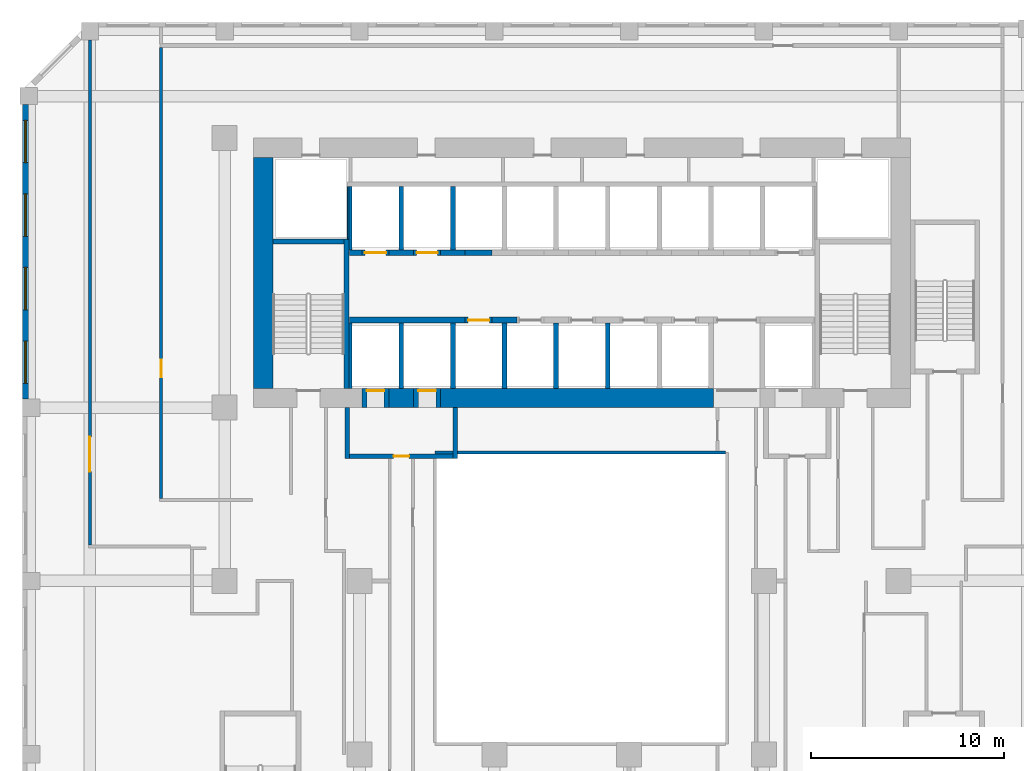
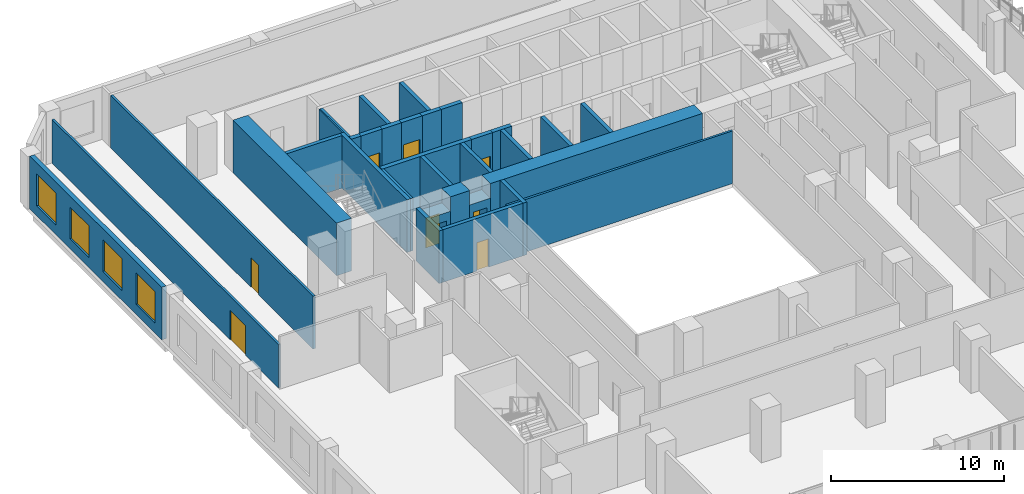
# One storey, part 14 of 27: 33 walls, 8 doors, 4 windows, 12 openings.
"""IFC4 building model written with IfcOpenShell, lengths in metres."""

from ifc_helpers import new_model, si_unit, direction, frame, frame_2d, origin, place, context, subcontext, project, spatial, rectangle, extrude, source, transform, mapped, material, layer, layer_set, type_object, element, fill, save


model = new_model("IFC4")

# Units and contexts
model_context = context("Model", 3, precision=1e-05, world=origin(), true_north=direction((0.0, 1.0)))
body_context = subcontext(model_context, "Body", "Model", "MODEL_VIEW")
ifc_project = project(units=[si_unit("LENGTHUNIT", "METRE"), si_unit("AREAUNIT", "SQUARE_METRE"), si_unit("VOLUMEUNIT", "CUBIC_METRE"), si_unit("PLANEANGLEUNIT", "RADIAN"), si_unit("MASSUNIT", "GRAM", prefix="KILO")], contexts=[model_context])

# Site, building, storey
site_placement = place(None, origin())
site = spatial("IfcSite", under=ifc_project, at=site_placement, CompositionType="ELEMENT")
building_placement = place(site_placement, origin())
building = spatial("IfcBuilding", under=site, at=building_placement, Name="Kilnfold Tower and Market Hall", CompositionType="ELEMENT")
storey_placement = place(building_placement, frame((0.0, 0.0, 43.0)))
storey = spatial("IfcBuildingStorey", under=building, at=storey_placement, Name="L09", CompositionType="ELEMENT", Elevation=43.0)

# Wall
ifc_material_1 = material(Name="Fire-resisting glazed screen")
ifc_layer_1 = layer(ifc_material_1, 0.14990234375)
ifc_layer_set_1 = layer_set([ifc_layer_1], Name="Fire-resisting glazed screen")
wall_type_1 = type_object("IfcWallType", Name="WALL ATRIUM 150", PredefinedType="PARTITIONING", material=ifc_layer_set_1)
wall_1_placement = place(storey_placement, frame((-6.574951171875, 5.675048828125, 0.0), z_axis=(0.0, 0.0, 1.0), x_axis=(1.0, 0.0, 0.0)))
element("IfcWall", 1, at=wall_1_placement, inside=storey, type_object=wall_type_1, Name="Partition LY08.70", PredefinedType="PARTITIONING", context=body_context, shape_type="SweptSolid", body=[
    extrude(rectangle(XDim=15.074951171875, YDim=0.14990234375, at=frame_2d((7.53759765625, 0.0))), origin(), (0.0, 0.0, 1.0), 3.719970703125),
])

# Wall, opening, door
ifc_material_2 = material(Name="Gypsum board on steel studs", Category="steel")
ifc_layer_2 = layer(ifc_material_2, 0.14990234375)
ifc_layer_set_2 = layer_set([ifc_layer_2], Name="Gypsum board on steel studs")
wall_type_2 = type_object("IfcWallType", Name="WALL CORRIDOR 150", PredefinedType="PARTITIONING", material=ifc_layer_set_2)
wall_2_placement = place(storey_placement, frame((-20.800048828125, 3.27490234375, 0.0), z_axis=(0.0, 0.0, 1.0), x_axis=(0.0, 1.0, 0.0)))
wall_2 = element("IfcWall", 2, at=wall_2_placement, inside=storey, type_object=wall_type_2, Name="Partition LY08.1", PredefinedType="PARTITIONING", context=body_context, shape_type="SweptSolid", body=[
    extrude(rectangle(XDim=23.43505859375, YDim=0.14990234375, at=frame_2d((11.717529296875, 0.0))), origin(), (0.0, 0.0, 1.0), 3.719970703125),
])
opening_1_placement = place(wall_2_placement, frame((6.31005859375, 0.0, 0.0)))
opening_1 = element("IfcOpeningElement", 3, at=opening_1_placement, cuts=wall_2, Name="Opening D3", PredefinedType="OPENING", context=body_context, shape_type="SweptSolid", body=[
    extrude(rectangle(XDim=0.89990234375, YDim=2.10009765625, at=frame_2d((0.449951171875, 1.050048828125))), frame((0.0, 0.0849609375, 0.0), z_axis=(0.0, -1.0, 0.0), x_axis=(1.0, 0.0, 0.0)), (0.0, 0.0, 1.0), 0.169921875),
])
ifc_material_3 = material(Name="Timber veneer door leaf in steel frame", Category="steel")
door_type_1 = type_object("IfcDoorType", Name="DOOR WC 900 X2100", OperationType="NOTDEFINED", PredefinedType="DOOR", material=ifc_material_3)
door_1_placement = place(opening_1_placement, origin())
door_1 = element("IfcDoor", 4, at=door_1_placement, inside=storey, type_object=door_type_1, Name="Door D3", OperationType="SINGLE_SWING_RIGHT", OverallHeight=2.10009765625, OverallWidth=0.89990234375, PredefinedType="DOOR", context=body_context, shape_type="SweptSolid", body=[
    extrude(rectangle(XDim=0.89990234375, YDim=2.10009765625, at=frame_2d((0.449951171875, 1.050048828125))), frame((0.0, 0.02490234375, 0.0), z_axis=(0.0, -1.0, 0.0), x_axis=(1.0, 0.0, 0.0)), (0.0, 0.0, 1.0), 0.050048828125),
])
fill(opening_1, door_1)

wall_3_placement = place(storey_placement, frame((-24.5, 27.10009765625, 0.0), z_axis=(0.0, 0.0, 1.0), x_axis=(0.0, -1.0, 0.0)))
wall_3 = element("IfcWall", 5, at=wall_3_placement, inside=storey, type_object=wall_type_2, Name="Partition LY08.39", PredefinedType="PARTITIONING", context=body_context, shape_type="SweptSolid", body=[
    extrude(rectangle(XDim=26.22509765625, YDim=0.14990234375, at=frame_2d((13.112548828125, 0.0))), origin(), (0.0, 0.0, 1.0), 3.070068359375),
])
opening_2_placement = place(wall_3_placement, frame((20.62109375, 0.0, 0.0)))
opening_2 = element("IfcOpeningElement", 6, at=opening_2_placement, cuts=wall_3, Name="Opening D5", PredefinedType="OPENING", context=body_context, shape_type="SweptSolid", body=[
    extrude(rectangle(XDim=1.800048828125, YDim=2.10009765625, at=frame_2d((0.89990234375, 1.050048828125))), frame((0.0, 0.0849609375, 0.0), z_axis=(0.0, -1.0, 0.0), x_axis=(1.0, 0.0, 0.0)), (0.0, 0.0, 1.0), 0.169921875),
])
ifc_material_4 = material(Name="Timber veneer door leaf in steel frame", Category="steel")
door_type_2 = type_object("IfcDoorType", Name="DOOR DOUBLE 1800 X2100", OperationType="NOTDEFINED", PredefinedType="DOOR", material=ifc_material_4)
door_2_placement = place(opening_2_placement, origin())
door_2 = element("IfcDoor", 7, at=door_2_placement, inside=storey, type_object=door_type_2, Name="Door D5", OperationType="DOUBLE_DOOR_SINGLE_SWING", OverallHeight=2.10009765625, OverallWidth=1.800048828125, PredefinedType="DOOR", context=body_context, shape_type="SweptSolid", body=[
    extrude(rectangle(XDim=1.800048828125, YDim=2.10009765625, at=frame_2d((0.89990234375, 1.050048828125))), frame((0.0, 0.02490234375, 0.0), z_axis=(0.0, -1.0, 0.0), x_axis=(1.0, 0.0, 0.0)), (0.0, 0.0, 1.0), 0.050048828125),
])
fill(opening_2, door_2)

# Walls
ifc_material_5 = material(Name="Concrete C80", Category="concrete")
ifc_layer_3 = layer(ifc_material_5, 1.0)
ifc_layer_set_3 = layer_set([ifc_layer_3], Name="Concrete C80")
wall_type_3 = type_object("IfcWallType", Name="CORE WALL 1000 C80", PredefinedType="SHEAR", material=ifc_layer_set_3)
shared_shape_1 = source(origin(), body_context, "Body", "SweptSolid", [
    extrude(rectangle(XDim=1.280029296875, YDim=1.0, at=frame_2d((0.64013671875, 0.0))), origin(), (0.0, 0.0, 1.0), 3.719970703125),
])
wall_4_placement = place(storey_placement, frame((-8.969970703125, 8.5, 0.0), z_axis=(0.0, 0.0, 1.0), x_axis=(1.0, 0.0, 0.0)))
element("IfcWall", 8, at=wall_4_placement, inside=storey, type_object=wall_type_3, Name="Core outer wall south", PredefinedType="SHEAR", context=body_context, shape_type="MappedRepresentation", body=[
    mapped(shared_shape_1, transform((0.0, 0.0, 0.0))),
])
shared_shape_2 = source(origin(), body_context, "Body", "SweptSolid", [
    extrude(rectangle(XDim=14.179931640625, YDim=1.0, at=frame_2d((7.08984375, 0.0))), origin(), (0.0, 0.0, 1.0), 3.719970703125),
])
wall_5_placement = place(storey_placement, frame((-6.2900390625, 8.5, 0.0), z_axis=(0.0, 0.0, 1.0), x_axis=(1.0, 0.0, 0.0)))
element("IfcWall", 9, at=wall_5_placement, inside=storey, type_object=wall_type_3, Name="Core outer wall south", PredefinedType="SHEAR", context=body_context, shape_type="MappedRepresentation", body=[
    mapped(shared_shape_2, transform((0.0, 0.0, 0.0))),
])
shared_shape_3 = source(origin(), body_context, "Body", "SweptSolid", [
    extrude(rectangle(XDim=12.0, YDim=1.0, at=frame_2d((6.0, 0.0))), origin(), (0.0, 0.0, 1.0), 3.719970703125),
])
wall_6_placement = place(storey_placement, frame((-15.5, 9.0, 0.0), z_axis=(0.0, 0.0, 1.0), x_axis=(0.0, 1.0, 0.0)))
element("IfcWall", 10, at=wall_6_placement, inside=storey, type_object=wall_type_3, Name="Core outer wall west", PredefinedType="SHEAR", context=body_context, shape_type="MappedRepresentation", body=[
    mapped(shared_shape_3, transform((0.0, 0.0, 0.0))),
])
ifc_material_6 = material(Name="Concrete C80", Category="concrete")
ifc_layer_4 = layer(ifc_material_6, 0.25)
ifc_layer_set_4 = layer_set([ifc_layer_4], Name="Concrete C80")
wall_type_4 = type_object("IfcWallType", Name="CORE WALL 250 C80", PredefinedType="SHEAR", material=ifc_layer_set_4)
shared_shape_4 = source(origin(), body_context, "Body", "SweptSolid", [
    extrude(rectangle(XDim=7.75, YDim=0.25, at=frame_2d((3.875, 0.0))), origin(), (0.0, 0.0, 1.0), 3.719970703125),
])
wall_7_placement = place(storey_placement, frame((-11.175048828125, 9.0, 0.0), z_axis=(0.0, 0.0, 1.0), x_axis=(0.0, 1.0, 0.0)))
element("IfcWall", 11, at=wall_7_placement, inside=storey, type_object=wall_type_4, Name="Stair enclosure ST1", PredefinedType="SHEAR", context=body_context, shape_type="MappedRepresentation", body=[
    mapped(shared_shape_4, transform((0.0, 0.0, 0.0))),
])
shared_shape_5 = source(origin(), body_context, "Body", "SweptSolid", [
    extrude(rectangle(XDim=3.699951171875, YDim=0.25, at=frame_2d((1.85009765625, 0.0))), origin(), (0.0, 0.0, 1.0), 3.719970703125),
])
wall_8_placement = place(storey_placement, frame((-15.0, 16.625, 0.0), z_axis=(0.0, 0.0, 1.0), x_axis=(1.0, 0.0, 0.0)))
element("IfcWall", 12, at=wall_8_placement, inside=storey, type_object=wall_type_4, Name="Stair enclosure ST1", PredefinedType="SHEAR", context=body_context, shape_type="MappedRepresentation", body=[
    mapped(shared_shape_5, transform((0.0, 0.0, 0.0))),
])
ifc_material_7 = material(Name="Concrete C80", Category="concrete")
ifc_layer_5 = layer(ifc_material_7, 0.300048828125)
ifc_layer_set_5 = layer_set([ifc_layer_5], Name="Concrete C80")
wall_type_5 = type_object("IfcWallType", Name="CORE WALL 300 C80", PredefinedType="SHEAR", material=ifc_layer_set_5)
shared_shape_6 = source(origin(), body_context, "Body", "SweptSolid", [
    extrude(rectangle(XDim=6.0, YDim=0.300048828125, at=frame_2d((3.0, 0.0))), origin(), (0.0, 0.0, 1.0), 3.719970703125),
])
wall_9_placement = place(storey_placement, frame((-11.010009765625, 12.550048828125, 0.0), z_axis=(0.0, 0.0, 1.0), x_axis=(1.0, 0.0, 0.0)))
element("IfcWall", 13, at=wall_9_placement, inside=storey, type_object=wall_type_5, Name="Core spine wall", PredefinedType="SHEAR", context=body_context, shape_type="MappedRepresentation", body=[
    mapped(shared_shape_6, transform((0.0, 0.0, 0.0))),
])
shared_shape_7 = source(origin(), body_context, "Body", "SweptSolid", [
    extrude(rectangle(XDim=1.280029296875, YDim=0.300048828125, at=frame_2d((0.64013671875, 0.0))), origin(), (0.0, 0.0, 1.0), 3.719970703125),
])
for number, where, z_axis, x_axis, name in (
    (14, (-3.610107421875, 12.550048828125, 0.0), (0.0, 0.0, 1.0), (1.0, 0.0, 0.0), "Core spine wall"),
    (15, (-8.969970703125, 16.050048828125, 0.0), (0.0, 0.0, 1.0), (1.0, 0.0, 0.0), "Core spine wall"),
    (16, (-6.2900390625, 16.050048828125, 0.0), (0.0, 0.0, 1.0), (1.0, 0.0, 0.0), "Core spine wall"),
):
    element("IfcWall", number, at=place(storey_placement, frame(where, z_axis=z_axis, x_axis=x_axis)), inside=storey, type_object=wall_type_5, Name=name, PredefinedType="SHEAR", context=body_context, shape_type="MappedRepresentation", body=[
        mapped(shared_shape_7, transform((0.0, 0.0, 0.0))),
    ])
shared_shape_8 = source(origin(), body_context, "Body", "SweptSolid", [
    extrude(rectangle(XDim=0.639892578125, YDim=0.300048828125, at=frame_2d((0.31982421875, 0.0))), origin(), (0.0, 0.0, 1.0), 3.719970703125),
])
wall_10_placement = place(storey_placement, frame((-11.010009765625, 16.050048828125, 0.0), z_axis=(0.0, 0.0, 1.0), x_axis=(1.0, 0.0, 0.0)))
element("IfcWall", 17, at=wall_10_placement, inside=storey, type_object=wall_type_5, Name="Core spine wall", PredefinedType="SHEAR", context=body_context, shape_type="MappedRepresentation", body=[
    mapped(shared_shape_8, transform((0.0, 0.0, 0.0))),
])

# Wall, openings, windows
ifc_material_8 = material(Name="Precast concrete C50/60", Category="concrete")
ifc_layer_6 = layer(ifc_material_8, 0.300048828125)
ifc_layer_set_6 = layer_set([ifc_layer_6], Name="Precast concrete C50/60")
wall_type_6 = type_object("IfcWallType", Name="PRECAST WALL 300", PredefinedType="SOLIDWALL", material=ifc_layer_set_6)
shared_shape_9 = source(origin(), body_context, "Body", "SweptSolid", [
    extrude(rectangle(XDim=15.28173828125, YDim=0.300048828125, at=frame_2d((7.640869140625, 0.0))), origin(), (0.0, 0.0, 1.0), 3.719970703125),
])
wall_11_placement = place(storey_placement, frame((-27.85009765625, 23.731689453125, 0.0), z_axis=(0.0, 0.0, 1.0), x_axis=(0.0, -1.0, 0.0)))
wall_11 = element("IfcWall", 18, at=wall_11_placement, inside=storey, type_object=wall_type_6, Name="External wall L09 W", PredefinedType="SOLIDWALL", context=body_context, shape_type="MappedRepresentation", body=[
    mapped(shared_shape_9, transform((0.0, 0.0, 0.0))),
])
opening_3_placement = place(wall_11_placement, frame((0.810302734375, 0.0, 0.699951171875)))
opening_3 = element("IfcOpeningElement", 19, at=opening_3_placement, cuts=wall_11, Name="Opening W1", PredefinedType="OPENING", context=body_context, shape_type="SweptSolid", body=[
    extrude(rectangle(XDim=2.199951171875, YDim=2.25, at=frame_2d((1.10009765625, 1.125))), frame((0.0, 0.16015625, 0.0), z_axis=(0.0, -1.0, 0.0), x_axis=(1.0, 0.0, 0.0)), (0.0, 0.0, 1.0), 0.320068359375),
])
opening_4_placement = place(wall_11_placement, frame((4.630615234375, 0.0, 0.699951171875)))
opening_4 = element("IfcOpeningElement", 20, at=opening_4_placement, cuts=wall_11, Name="Opening W1", PredefinedType="OPENING", context=body_context, shape_type="SweptSolid", body=[
    extrude(rectangle(XDim=2.199951171875, YDim=2.25, at=frame_2d((1.10009765625, 1.125))), frame((0.0, 0.16015625, 0.0), z_axis=(0.0, -1.0, 0.0), x_axis=(1.0, 0.0, 0.0)), (0.0, 0.0, 1.0), 0.320068359375),
])
opening_5_placement = place(wall_11_placement, frame((8.451171875, 0.0, 0.699951171875)))
opening_5 = element("IfcOpeningElement", 21, at=opening_5_placement, cuts=wall_11, Name="Opening W1", PredefinedType="OPENING", context=body_context, shape_type="SweptSolid", body=[
    extrude(rectangle(XDim=2.199951171875, YDim=2.25, at=frame_2d((1.10009765625, 1.125))), frame((0.0, 0.16015625, 0.0), z_axis=(0.0, -1.0, 0.0), x_axis=(1.0, 0.0, 0.0)), (0.0, 0.0, 1.0), 0.320068359375),
])
opening_6_placement = place(wall_11_placement, frame((12.271484375, 0.0, 0.699951171875)))
opening_6 = element("IfcOpeningElement", 22, at=opening_6_placement, cuts=wall_11, Name="Opening W1", PredefinedType="OPENING", context=body_context, shape_type="SweptSolid", body=[
    extrude(rectangle(XDim=2.199951171875, YDim=2.25, at=frame_2d((1.10009765625, 1.125))), frame((0.0, 0.16015625, 0.0), z_axis=(0.0, -1.0, 0.0), x_axis=(1.0, 0.0, 0.0)), (0.0, 0.0, 1.0), 0.320068359375),
])
ifc_material_9 = material(Name="Aluminium frame and double glazing", Category="aluminium")
window_type = type_object("IfcWindowType", Name="WINDOW W1 2200X2250", PartitioningType="SINGLE_PANEL", PredefinedType="WINDOW", material=ifc_material_9)
window_1_placement = place(opening_3_placement, origin())
window_1 = element("IfcWindow", 23, at=window_1_placement, inside=storey, type_object=window_type, Name="Window W1 L09 W-1", OverallHeight=2.25, OverallWidth=2.199951171875, PartitioningType="SINGLE_PANEL", PredefinedType="WINDOW", context=body_context, shape_type="SweptSolid", body=[
    extrude(rectangle(XDim=2.199951171875, YDim=2.25, at=frame_2d((1.10009765625, 1.125))), frame((0.0, 0.030029296875, 0.0), z_axis=(0.0, -1.0, 0.0), x_axis=(1.0, 0.0, 0.0)), (0.0, 0.0, 1.0), 0.06005859375),
])
fill(opening_3, window_1)
window_2_placement = place(opening_4_placement, origin())
window_2 = element("IfcWindow", 24, at=window_2_placement, inside=storey, type_object=window_type, Name="Window W1 L09 W-2", OverallHeight=2.25, OverallWidth=2.199951171875, PartitioningType="SINGLE_PANEL", PredefinedType="WINDOW", context=body_context, shape_type="SweptSolid", body=[
    extrude(rectangle(XDim=2.199951171875, YDim=2.25, at=frame_2d((1.10009765625, 1.125))), frame((0.0, 0.030029296875, 0.0), z_axis=(0.0, -1.0, 0.0), x_axis=(1.0, 0.0, 0.0)), (0.0, 0.0, 1.0), 0.06005859375),
])
fill(opening_4, window_2)
window_3_placement = place(opening_5_placement, origin())
window_3 = element("IfcWindow", 25, at=window_3_placement, inside=storey, type_object=window_type, Name="Window W1 L09 W-3", OverallHeight=2.25, OverallWidth=2.199951171875, PartitioningType="SINGLE_PANEL", PredefinedType="WINDOW", context=body_context, shape_type="SweptSolid", body=[
    extrude(rectangle(XDim=2.199951171875, YDim=2.25, at=frame_2d((1.10009765625, 1.125))), frame((0.0, 0.030029296875, 0.0), z_axis=(0.0, -1.0, 0.0), x_axis=(1.0, 0.0, 0.0)), (0.0, 0.0, 1.0), 0.06005859375),
])
fill(opening_5, window_3)
window_4_placement = place(opening_6_placement, origin())
window_4 = element("IfcWindow", 26, at=window_4_placement, inside=storey, type_object=window_type, Name="Window W1 L09 W-4", OverallHeight=2.25, OverallWidth=2.199951171875, PartitioningType="SINGLE_PANEL", PredefinedType="WINDOW", context=body_context, shape_type="SweptSolid", body=[
    extrude(rectangle(XDim=2.199951171875, YDim=2.25, at=frame_2d((1.10009765625, 1.125))), frame((0.0, 0.030029296875, 0.0), z_axis=(0.0, -1.0, 0.0), x_axis=(1.0, 0.0, 0.0)), (0.0, 0.0, 1.0), 0.06005859375),
])
fill(opening_6, window_4)

# Wall, opening, door
ifc_material_10 = material(Name="Gypsum shaft wall system")
ifc_layer_7 = layer(ifc_material_10, 1.0)
ifc_layer_set_7 = layer_set([ifc_layer_7], Name="Gypsum shaft wall system")
wall_type_7 = type_object("IfcWallType", Name="LOBBY WALL 1000", PredefinedType="PARTITIONING", material=ifc_layer_set_7)
shared_shape_10 = source(origin(), body_context, "Body", "SweptSolid", [
    extrude(rectangle(XDim=1.400146484375, YDim=1.0, at=frame_2d((0.7001953125, 0.0))), origin(), (0.0, 0.0, 1.0), 2.699951171875),
])
wall_12_placement = place(storey_placement, frame((-10.3701171875, 8.5, 0.0), z_axis=(0.0, 0.0, 1.0), x_axis=(1.0, 0.0, 0.0)))
wall_12 = element("IfcWall", 27, at=wall_12_placement, inside=storey, type_object=wall_type_7, Name="Core wall infill", PredefinedType="PARTITIONING", context=body_context, shape_type="MappedRepresentation", body=[
    mapped(shared_shape_10, transform((0.0, 0.0, 0.0))),
])
opening_7_placement = place(wall_12_placement, frame((0.25, 0.0, 0.0)))
opening_7 = element("IfcOpeningElement", 28, at=opening_7_placement, cuts=wall_12, Name="Opening LD1", PredefinedType="OPENING", context=body_context, shape_type="SweptSolid", body=[
    extrude(rectangle(XDim=0.89990234375, YDim=2.10009765625, at=frame_2d((0.449951171875, 1.050048828125))), frame((0.0, 0.510009765625, 0.0), z_axis=(0.0, -1.0, 0.0), x_axis=(1.0, 0.0, 0.0)), (0.0, 0.0, 1.0), 1.02001953125),
])
ifc_material_11 = material(Name="Steel door set with fire-resisting leaf", Category="steel")
door_type_3 = type_object("IfcDoorType", Name="FIREFIGHTING LANDING DOOR 900X2100", OperationType="NOTDEFINED", PredefinedType="DOOR", material=ifc_material_11)
door_3_placement = place(opening_7_placement, origin())
door_3 = element("IfcDoor", 29, at=door_3_placement, inside=storey, type_object=door_type_3, Name="Landing door FF1", OperationType="SLIDING_TO_LEFT", OverallHeight=2.10009765625, OverallWidth=0.89990234375, PredefinedType="DOOR", context=body_context, shape_type="SweptSolid", body=[
    extrude(rectangle(XDim=0.89990234375, YDim=2.10009765625, at=frame_2d((0.449951171875, 1.050048828125))), frame((0.0, 0.40478515625, 0.0), z_axis=(0.0, -1.0, 0.0), x_axis=(1.0, 0.0, 0.0)), (0.0, 0.0, 1.0), 0.050048828125),
])
fill(opening_7, door_3)

shared_shape_11 = source(origin(), body_context, "Body", "SweptSolid", [
    extrude(rectangle(XDim=1.39990234375, YDim=1.0, at=frame_2d((0.699951171875, 0.0))), origin(), (0.0, 0.0, 1.0), 2.699951171875),
])
wall_13_placement = place(storey_placement, frame((-7.68994140625, 8.5, 0.0), z_axis=(0.0, 0.0, 1.0), x_axis=(1.0, 0.0, 0.0)))
wall_13 = element("IfcWall", 30, at=wall_13_placement, inside=storey, type_object=wall_type_7, Name="Core wall infill", PredefinedType="PARTITIONING", context=body_context, shape_type="MappedRepresentation", body=[
    mapped(shared_shape_11, transform((0.0, 0.0, 0.0))),
])
opening_8_placement = place(wall_13_placement, frame((0.25, 0.0, 0.0)))
opening_8 = element("IfcOpeningElement", 31, at=opening_8_placement, cuts=wall_13, Name="Opening LD1", PredefinedType="OPENING", context=body_context, shape_type="SweptSolid", body=[
    extrude(rectangle(XDim=0.89990234375, YDim=2.10009765625, at=frame_2d((0.449951171875, 1.050048828125))), frame((0.0, 0.510009765625, 0.0), z_axis=(0.0, -1.0, 0.0), x_axis=(1.0, 0.0, 0.0)), (0.0, 0.0, 1.0), 1.02001953125),
])
door_4_placement = place(opening_8_placement, origin())
door_4 = element("IfcDoor", 32, at=door_4_placement, inside=storey, type_object=door_type_3, Name="Landing door FF2", OperationType="SLIDING_TO_RIGHT", OverallHeight=2.10009765625, OverallWidth=0.89990234375, PredefinedType="DOOR", context=body_context, shape_type="SweptSolid", body=[
    extrude(rectangle(XDim=0.89990234375, YDim=2.10009765625, at=frame_2d((0.449951171875, 1.050048828125))), frame((0.0, 0.40478515625, 0.0), z_axis=(0.0, -1.0, 0.0), x_axis=(1.0, 0.0, 0.0)), (0.0, 0.0, 1.0), 0.050048828125),
])
fill(opening_8, door_4)

ifc_material_12 = material(Name="Gypsum shaft wall system")
ifc_layer_8 = layer(ifc_material_12, 0.300048828125)
ifc_layer_set_8 = layer_set([ifc_layer_8], Name="Gypsum shaft wall system")
wall_type_8 = type_object("IfcWallType", Name="SHAFT WALL 300", PredefinedType="PARTITIONING", material=ifc_layer_set_8)
shared_shape_12 = source(origin(), body_context, "Body", "SweptSolid", [
    extrude(rectangle(XDim=1.39990234375, YDim=0.300048828125, at=frame_2d((0.699951171875, 0.0))), origin(), (0.0, 0.0, 1.0), 3.719970703125),
])
wall_14_placement = place(storey_placement, frame((-5.010009765625, 12.550048828125, 0.0), z_axis=(0.0, 0.0, 1.0), x_axis=(1.0, 0.0, 0.0)))
wall_14 = element("IfcWall", 33, at=wall_14_placement, inside=storey, type_object=wall_type_8, Name="Lift shaft front wall", PredefinedType="PARTITIONING", context=body_context, shape_type="MappedRepresentation", body=[
    mapped(shared_shape_12, transform((0.0, 0.0, 0.0))),
])
opening_9_placement = place(wall_14_placement, frame((0.14990234375, 0.0, 0.0)))
opening_9 = element("IfcOpeningElement", 34, at=opening_9_placement, cuts=wall_14, Name="Opening LD2", PredefinedType="OPENING", context=body_context, shape_type="SweptSolid", body=[
    extrude(rectangle(XDim=1.10009765625, YDim=2.10009765625, at=frame_2d((0.550048828125, 1.050048828125))), frame((0.0, 0.16015625, 0.0), z_axis=(0.0, -1.0, 0.0), x_axis=(1.0, 0.0, 0.0)), (0.0, 0.0, 1.0), 0.320068359375),
])
ifc_material_13 = material(Name="Steel door set with fire-resisting leaf", Category="steel")
door_type_4 = type_object("IfcDoorType", Name="LANDING DOOR 1100X2100", OperationType="NOTDEFINED", PredefinedType="DOOR", material=ifc_material_13)
door_5_placement = place(opening_9_placement, origin())
door_5 = element("IfcDoor", 35, at=door_5_placement, inside=storey, type_object=door_type_4, Name="Landing door LR1", OperationType="DOUBLE_DOOR_SLIDING", OverallHeight=2.10009765625, OverallWidth=1.10009765625, PredefinedType="DOOR", context=body_context, shape_type="SweptSolid", body=[
    extrude(rectangle(XDim=1.10009765625, YDim=2.10009765625, at=frame_2d((0.550048828125, 1.050048828125))), frame((0.0, 0.02490234375, 0.0), z_axis=(0.0, -1.0, 0.0), x_axis=(1.0, 0.0, 0.0)), (0.0, 0.0, 1.0), 0.050048828125),
])
fill(opening_9, door_5)

wall_15_placement = place(storey_placement, frame((-7.68994140625, 16.050048828125, 0.0), z_axis=(0.0, 0.0, 1.0), x_axis=(1.0, 0.0, 0.0)))
wall_15 = element("IfcWall", 36, at=wall_15_placement, inside=storey, type_object=wall_type_8, Name="Lift shaft front wall", PredefinedType="PARTITIONING", context=body_context, shape_type="MappedRepresentation", body=[
    mapped(shared_shape_12, transform((0.0, 0.0, 0.0))),
])
opening_10_placement = place(wall_15_placement, frame((0.14990234375, 0.0, 0.0)))
opening_10 = element("IfcOpeningElement", 37, at=opening_10_placement, cuts=wall_15, Name="Opening LD2", PredefinedType="OPENING", context=body_context, shape_type="SweptSolid", body=[
    extrude(rectangle(XDim=1.10009765625, YDim=2.10009765625, at=frame_2d((0.550048828125, 1.050048828125))), frame((0.0, 0.16015625, 0.0), z_axis=(0.0, -1.0, 0.0), x_axis=(1.0, 0.0, 0.0)), (0.0, 0.0, 1.0), 0.320068359375),
])
door_6_placement = place(opening_10_placement, origin())
door_6 = element("IfcDoor", 38, at=door_6_placement, inside=storey, type_object=door_type_4, Name="Landing door LR8", OperationType="DOUBLE_DOOR_SLIDING", OverallHeight=2.10009765625, OverallWidth=1.10009765625, PredefinedType="DOOR", context=body_context, shape_type="SweptSolid", body=[
    extrude(rectangle(XDim=1.10009765625, YDim=2.10009765625, at=frame_2d((0.550048828125, 1.050048828125))), frame((0.0, 0.02490234375, 0.0), z_axis=(0.0, -1.0, 0.0), x_axis=(1.0, 0.0, 0.0)), (0.0, 0.0, 1.0), 0.050048828125),
])
fill(opening_10, door_6)

# Wall
wall_16_placement = place(storey_placement, frame((-5.010009765625, 16.050048828125, 0.0), z_axis=(0.0, 0.0, 1.0), x_axis=(1.0, 0.0, 0.0)))
element("IfcWall", 39, at=wall_16_placement, inside=storey, type_object=wall_type_8, Name="Lift shaft front wall", PredefinedType="PARTITIONING", context=body_context, shape_type="MappedRepresentation", body=[
    mapped(shared_shape_12, transform((0.0, 0.0, 0.0))),
])

# Wall, opening, door
shared_shape_13 = source(origin(), body_context, "Body", "SweptSolid", [
    extrude(rectangle(XDim=1.400146484375, YDim=0.300048828125, at=frame_2d((0.7001953125, 0.0))), origin(), (0.0, 0.0, 1.0), 3.719970703125),
])
wall_17_placement = place(storey_placement, frame((-10.3701171875, 16.050048828125, 0.0), z_axis=(0.0, 0.0, 1.0), x_axis=(1.0, 0.0, 0.0)))
wall_17 = element("IfcWall", 40, at=wall_17_placement, inside=storey, type_object=wall_type_8, Name="Lift shaft front wall", PredefinedType="PARTITIONING", context=body_context, shape_type="MappedRepresentation", body=[
    mapped(shared_shape_13, transform((0.0, 0.0, 0.0))),
])
opening_11_placement = place(wall_17_placement, frame((0.14990234375, 0.0, 0.0)))
opening_11 = element("IfcOpeningElement", 41, at=opening_11_placement, cuts=wall_17, Name="Opening LD2", PredefinedType="OPENING", context=body_context, shape_type="SweptSolid", body=[
    extrude(rectangle(XDim=1.10009765625, YDim=2.10009765625, at=frame_2d((0.550048828125, 1.050048828125))), frame((0.0, 0.16015625, 0.0), z_axis=(0.0, -1.0, 0.0), x_axis=(1.0, 0.0, 0.0)), (0.0, 0.0, 1.0), 0.320068359375),
])
door_7_placement = place(opening_11_placement, origin())
door_7 = element("IfcDoor", 42, at=door_7_placement, inside=storey, type_object=door_type_4, Name="Landing door LR7", OperationType="DOUBLE_DOOR_SLIDING", OverallHeight=2.10009765625, OverallWidth=1.10009765625, PredefinedType="DOOR", context=body_context, shape_type="SweptSolid", body=[
    extrude(rectangle(XDim=1.10009765625, YDim=2.10009765625, at=frame_2d((0.550048828125, 1.050048828125))), frame((0.0, 0.02490234375, 0.0), z_axis=(0.0, -1.0, 0.0), x_axis=(1.0, 0.0, 0.0)), (0.0, 0.0, 1.0), 0.050048828125),
])
fill(opening_11, door_7)

# Walls
ifc_material_14 = material(Name="Gypsum shaft wall system")
ifc_layer_9 = layer(ifc_material_14, 0.25)
ifc_layer_set_9 = layer_set([ifc_layer_9], Name="Gypsum shaft wall system")
wall_type_9 = type_object("IfcWallType", Name="LOBBY WALL 250", PredefinedType="PARTITIONING", material=ifc_layer_set_9)
shared_shape_14 = source(origin(), body_context, "Body", "SweptSolid", [
    extrude(rectangle(XDim=2.64990234375, YDim=0.25, at=frame_2d((1.324951171875, 0.0))), origin(), (0.0, 0.0, 1.0), 3.719970703125),
])
for number, where, z_axis, x_axis, name in (
    (43, (-11.135009765625, 5.35009765625, 0.0), (0.0, 0.0, 1.0), (0.0, 1.0, 0.0), "Firefighting lobby wall"),
    (44, (-5.52490234375, 5.35009765625, 0.0), (0.0, 0.0, 1.0), (0.0, 1.0, 0.0), "Firefighting lobby wall"),
):
    element("IfcWall", number, at=place(storey_placement, frame(where, z_axis=z_axis, x_axis=x_axis)), inside=storey, type_object=wall_type_9, Name=name, PredefinedType="PARTITIONING", context=body_context, shape_type="MappedRepresentation", body=[
        mapped(shared_shape_14, transform((0.0, 0.0, 0.0))),
    ])

# Wall, opening, door
shared_shape_15 = source(origin(), body_context, "Body", "SweptSolid", [
    extrude(rectangle(XDim=5.360107421875, YDim=0.25, at=frame_2d((2.68017578125, 0.0))), origin(), (0.0, 0.0, 1.0), 3.719970703125),
])
wall_18_placement = place(storey_placement, frame((-11.010009765625, 5.47509765625, 0.0), z_axis=(0.0, 0.0, 1.0), x_axis=(1.0, 0.0, 0.0)))
wall_18 = element("IfcWall", 45, at=wall_18_placement, inside=storey, type_object=wall_type_9, Name="Firefighting lobby wall", PredefinedType="PARTITIONING", context=body_context, shape_type="MappedRepresentation", body=[
    mapped(shared_shape_15, transform((0.0, 0.0, 0.0))),
])
opening_12_placement = place(wall_18_placement, frame((2.280029296875, 0.0, 0.0)))
opening_12 = element("IfcOpeningElement", 46, at=opening_12_placement, cuts=wall_18, Name="Opening VD1", PredefinedType="OPENING", context=body_context, shape_type="SweptSolid", body=[
    extrude(rectangle(XDim=0.800048828125, YDim=2.0, at=frame_2d((0.39990234375, 1.0))), frame((0.0, 0.135009765625, 0.0), z_axis=(0.0, -1.0, 0.0), x_axis=(1.0, 0.0, 0.0)), (0.0, 0.0, 1.0), 0.27001953125),
])
ifc_material_15 = material(Name="Steel door set with fire-resisting leaf", Category="steel")
door_type_5 = type_object("IfcDoorType", Name="FIREFIGHTING LOBBY DOOR 800X2000", OperationType="NOTDEFINED", PredefinedType="DOOR", material=ifc_material_15)
door_8_placement = place(opening_12_placement, origin())
door_8 = element("IfcDoor", 47, at=door_8_placement, inside=storey, type_object=door_type_5, Name="Firefighting lobby door", OperationType="SINGLE_SWING_LEFT", OverallHeight=2.0, OverallWidth=0.800048828125, PredefinedType="DOOR", context=body_context, shape_type="SweptSolid", body=[
    extrude(rectangle(XDim=0.800048828125, YDim=2.0, at=frame_2d((0.39990234375, 1.0))), frame((0.0, 0.02490234375, 0.0), z_axis=(0.0, -1.0, 0.0), x_axis=(1.0, 0.0, 0.0)), (0.0, 0.0, 1.0), 0.050048828125),
])
fill(opening_12, door_8)

# Walls
ifc_material_16 = material(Name="Gypsum shaft wall system")
ifc_layer_10 = layer(ifc_material_16, 0.1650390625)
ifc_layer_set_10 = layer_set([ifc_layer_10], Name="Gypsum shaft wall system")
wall_type_10 = type_object("IfcWallType", Name="SHAFT WALL 165", PredefinedType="PARTITIONING", material=ifc_layer_set_10)
shared_shape_16 = source(origin(), body_context, "Body", "SweptSolid", [
    extrude(rectangle(XDim=3.275146484375, YDim=0.1650390625, at=frame_2d((1.6376953125, 0.0))), origin(), (0.0, 0.0, 1.0), 3.719970703125),
])
wall_19_placement = place(storey_placement, frame((-10.967529296875, 16.199951171875, 0.0), z_axis=(0.0, 0.0, 1.0), x_axis=(0.0, 1.0, 0.0)))
element("IfcWall", 48, at=wall_19_placement, inside=storey, type_object=wall_type_10, Name="Lift shaft wall", PredefinedType="PARTITIONING", context=body_context, shape_type="MappedRepresentation", body=[
    mapped(shared_shape_16, transform((0.0, 0.0, 0.0))),
])
ifc_material_17 = material(Name="Gypsum shaft wall system")
ifc_layer_11 = layer(ifc_material_17, 0.25)
ifc_layer_set_11 = layer_set([ifc_layer_11], Name="Gypsum shaft wall system")
wall_type_11 = type_object("IfcWallType", Name="SHAFT WALL 250", PredefinedType="PARTITIONING", material=ifc_layer_set_11)
shared_shape_17 = source(origin(), body_context, "Body", "SweptSolid", [
    extrude(rectangle(XDim=3.275146484375, YDim=0.25, at=frame_2d((1.6376953125, 0.0))), origin(), (0.0, 0.0, 1.0), 3.719970703125),
])
for number, where, z_axis, x_axis, name in (
    (49, (-5.64990234375, 16.199951171875, 0.0), (0.0, 0.0, 1.0), (0.0, 1.0, 0.0), "Lift shaft wall"),
    (50, (-8.330078125, 16.199951171875, 0.0), (0.0, 0.0, 1.0), (0.0, 1.0, 0.0), "Lift shaft wall"),
):
    element("IfcWall", number, at=place(storey_placement, frame(where, z_axis=z_axis, x_axis=x_axis)), inside=storey, type_object=wall_type_11, Name=name, PredefinedType="PARTITIONING", context=body_context, shape_type="MappedRepresentation", body=[
        mapped(shared_shape_17, transform((0.0, 0.0, 0.0))),
    ])
ifc_material_18 = material(Name="Gypsum shaft wall system")
ifc_layer_12 = layer(ifc_material_18, 0.0849609375)
ifc_layer_set_12 = layer_set([ifc_layer_12], Name="Gypsum shaft wall system")
wall_type_12 = type_object("IfcWallType", Name="SHAFT WALL 85", PredefinedType="PARTITIONING", material=ifc_layer_set_12)
shared_shape_18 = source(origin(), body_context, "Body", "SweptSolid", [
    extrude(rectangle(XDim=2.72509765625, YDim=0.0849609375, at=frame_2d((1.362548828125, 0.0))), origin(), (0.0, 0.0, 1.0), 3.719970703125),
])
wall_20_placement = place(storey_placement, frame((-11.092529296875, 16.75, 0.0), z_axis=(0.0, 0.0, 1.0), x_axis=(0.0, 1.0, 0.0)))
element("IfcWall", 51, at=wall_20_placement, inside=storey, type_object=wall_type_12, Name="Lift shaft wall", PredefinedType="PARTITIONING", context=body_context, shape_type="MappedRepresentation", body=[
    mapped(shared_shape_18, transform((0.0, 0.0, 0.0))),
])
shared_shape_19 = source(origin(), body_context, "Body", "SweptSolid", [
    extrude(rectangle(XDim=3.39990234375, YDim=0.25, at=frame_2d((1.699951171875, 0.0))), origin(), (0.0, 0.0, 1.0), 3.719970703125),
])
for number, where, z_axis, x_axis, name in (
    (52, (2.389892578125, 9.0, 0.0), (0.0, 0.0, 1.0), (0.0, 1.0, 0.0), "Lift shaft wall"),
    (53, (-0.2900390625, 9.0, 0.0), (0.0, 0.0, 1.0), (0.0, 1.0, 0.0), "Lift shaft wall"),
    (54, (-2.969970703125, 9.0, 0.0), (0.0, 0.0, 1.0), (0.0, 1.0, 0.0), "Lift shaft wall"),
    (55, (-5.64990234375, 9.0, 0.0), (0.0, 0.0, 1.0), (0.0, 1.0, 0.0), "Lift shaft wall"),
    (56, (-8.330078125, 9.0, 0.0), (0.0, 0.0, 1.0), (0.0, 1.0, 0.0), "Lift shaft wall"),
):
    element("IfcWall", number, at=place(storey_placement, frame(where, z_axis=z_axis, x_axis=x_axis)), inside=storey, type_object=wall_type_11, Name=name, PredefinedType="PARTITIONING", context=body_context, shape_type="MappedRepresentation", body=[
        mapped(shared_shape_19, transform((0.0, 0.0, 0.0))),
    ])
shared_shape_20 = source(origin(), body_context, "Body", "SweptSolid", [
    extrude(rectangle(XDim=3.39990234375, YDim=0.1650390625, at=frame_2d((1.699951171875, 0.0))), origin(), (0.0, 0.0, 1.0), 3.719970703125),
])
wall_21_placement = place(storey_placement, frame((-10.967529296875, 9.0, 0.0), z_axis=(0.0, 0.0, 1.0), x_axis=(0.0, 1.0, 0.0)))
element("IfcWall", 57, at=wall_21_placement, inside=storey, type_object=wall_type_10, Name="Lift shaft wall", PredefinedType="PARTITIONING", context=body_context, shape_type="MappedRepresentation", body=[
    mapped(shared_shape_20, transform((0.0, 0.0, 0.0))),
])

save(model, "model.ifc")
